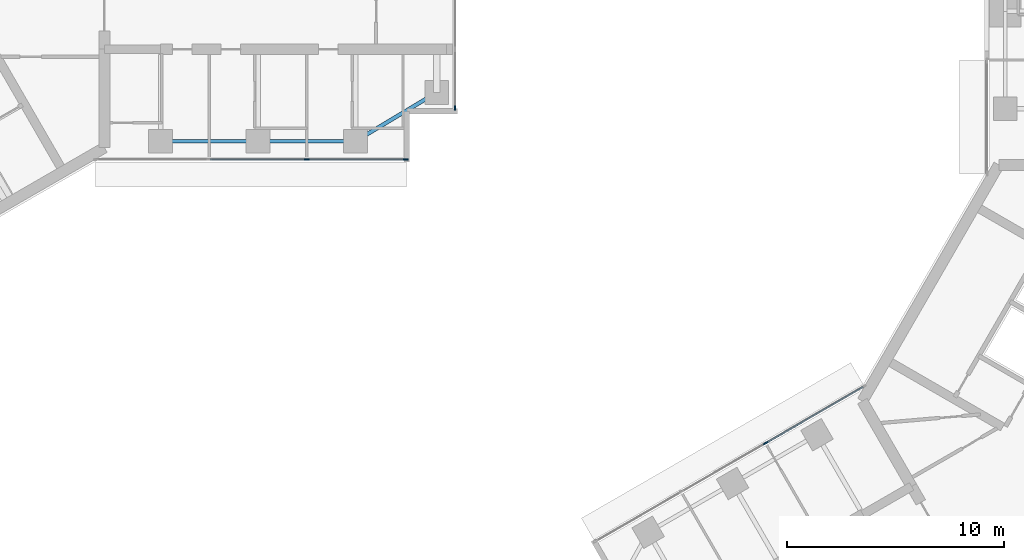
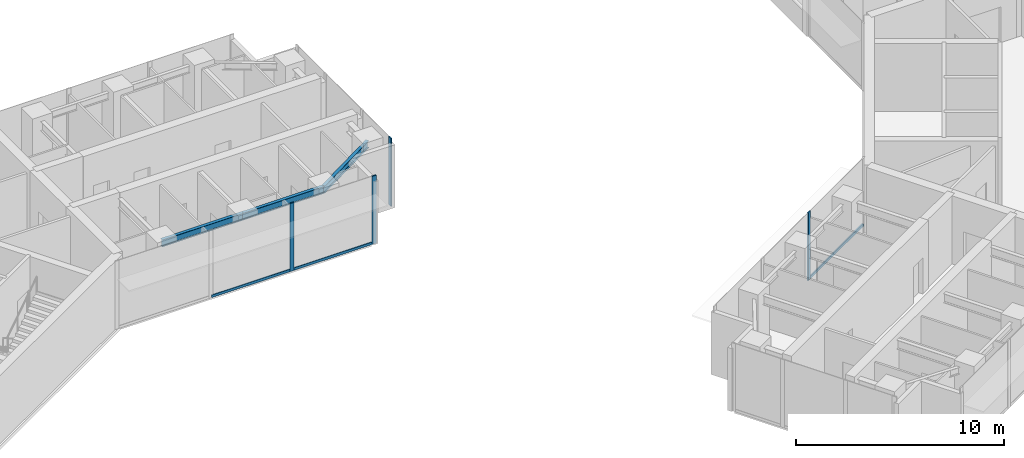
# One storey, part 4 of 17: 7 members, 3 beams, 3 elements without a shape of their own.
"""IFC4 building model written with IfcOpenShell, lengths in metres."""

from ifc_helpers import new_model, si_unit, direction, frame, origin, origin_2d, place, context, subcontext, project, spatial, rectangle, i_section, extrude, material, material_profile, profile_set, type_object, element, aggregate, save


model = new_model("IFC4")

# Units and contexts
model_context = context("Model", 3, precision=1e-05, world=origin(), true_north=direction((0.0, 1.0)))
body_context = subcontext(model_context, "Body", "Model", "MODEL_VIEW")
ifc_project = project(units=[si_unit("LENGTHUNIT", "METRE"), si_unit("AREAUNIT", "SQUARE_METRE"), si_unit("VOLUMEUNIT", "CUBIC_METRE"), si_unit("PLANEANGLEUNIT", "RADIAN"), si_unit("MASSUNIT", "GRAM", prefix="KILO")], contexts=[model_context])

# Site, building, storey
site_placement = place(None, origin())
site = spatial("IfcSite", under=ifc_project, at=site_placement, CompositionType="ELEMENT")
building_placement = place(site_placement, origin())
building = spatial("IfcBuilding", under=site, at=building_placement, Name="Upepo Twin Towers", CompositionType="ELEMENT")
storey_placement = place(building_placement, frame((0.0, 0.0, 234.5)))
storey = spatial("IfcBuildingStorey", under=building, at=storey_placement, Name="L57", CompositionType="ELEMENT", Elevation=234.5)

# Beams
ifc_material_1 = material(Name="Steel S355", Category="steel")
ifc_material_profile_1 = material_profile(ifc_material_1, i_section(OverallWidth=0.177978515625, OverallDepth=0.406494140625, WebThickness=0.0078125, FlangeThickness=0.0126953125, FilletRadius=0.01025390625, at=origin_2d()), Name="UB 406x178x60")
ifc_profile_set_1 = profile_set([ifc_material_profile_1], Name="Steel S355")
beam_type = type_object("IfcBeamType", Name="Beam UB 406x178x60", PredefinedType="BEAM", material=ifc_profile_set_1)
for number, where, z_axis, x_axis, name in (
    (1, (13.5, -6.0, 3.496826171875), (1.0, 0.0, 0.0), (0.0, 1.0, 0.0), "T1 edge beam AR 13.5-18.0"),
    (2, (18.0, -6.0, 3.496826171875), (1.0, 0.0, 0.0), (0.0, 1.0, 0.0), "T1 edge beam AR 18.0-22.5"),
):
    element("IfcBeam", number, at=place(storey_placement, frame(where, z_axis=z_axis, x_axis=x_axis)), inside=storey, type_object=beam_type, Name=name, PredefinedType="BEAM", context=body_context, shape_type="SweptSolid", body=[
        extrude(i_section(OverallWidth=0.177978515625, OverallDepth=0.406494140625, WebThickness=0.0078125, FlangeThickness=0.0126953125, FilletRadius=0.01025390625, at=origin_2d()), origin(), (0.0, 0.0, 1.0), 4.5),
    ])
beam_placement = place(storey_placement, frame((22.5, -6.0, 3.496826171875), z_axis=(0.857492925713, 0.514495755428, 0.0), x_axis=(-0.514495755428, 0.857492925713, 0.0)))
element("IfcBeam", 3, at=beam_placement, inside=storey, type_object=beam_type, Name="T1 nose edge beam AR", PredefinedType="BEAM", context=body_context, shape_type="SweptSolid", body=[
    extrude(i_section(OverallWidth=0.177978515625, OverallDepth=0.406494140625, WebThickness=0.0078125, FlangeThickness=0.0126953125, FilletRadius=0.01025390625, at=origin_2d()), origin(), (0.0, 0.0, 1.0), 4.373291015625),
])

# Curtain wall, members
ifc_material_2 = material(Name="Aluminium and fritted glass", Category="aluminium")
curtain_wall_type = type_object("IfcCurtainWallType", Name="Tower curtain wall TW3, fritted glass", PredefinedType="NOTDEFINED", material=ifc_material_2)
curtain_wall_1_placement = place(storey_placement, origin())
curtain_wall_1 = element("IfcCurtainWall", 4, at=curtain_wall_1_placement, inside=storey, type_object=curtain_wall_type, Name="T1 L57 wing A flank R curtain wall", PredefinedType="NOTDEFINED")
ifc_material_3 = material(Name="Aluminium mullion", Category="aluminium")
ifc_material_profile_2 = material_profile(ifc_material_3, rectangle(XDim=0.06494140625, YDim=0.22509765625, at=origin_2d()), Name="MULLION 65x225")
ifc_profile_set_2 = profile_set([ifc_material_profile_2], Name="Aluminium mullion")
member_type_1 = type_object("IfcMemberType", Name="Mullion 65x225 TW3", PredefinedType="MULLION", material=ifc_profile_set_2)
member_1_placement = place(storey_placement, frame((24.8173828125, -6.85009765625, 0.0), z_axis=(0.0, 0.0, 1.0), x_axis=(0.0, -1.0, 0.0)))
member_1 = element("IfcMember", 5, at=member_1_placement, type_object=member_type_1, Name="T1 L57 wing A flank R curtain wall mullion 1", PredefinedType="MULLION", context=body_context, shape_type="SweptSolid", body=[
    extrude(rectangle(XDim=0.06494140625, YDim=0.22509765625, at=origin_2d()), origin(), (0.0, 0.0, 1.0), 4.0),
])
member_2_placement = place(storey_placement, frame((20.25, -6.85009765625, 0.0), z_axis=(0.0, 0.0, 1.0), x_axis=(0.0, -1.0, 0.0)))
member_2 = element("IfcMember", 6, at=member_2_placement, type_object=member_type_1, Name="T1 L57 wing A flank R curtain wall mullion 2", PredefinedType="MULLION", context=body_context, shape_type="SweptSolid", body=[
    extrude(rectangle(XDim=0.06494140625, YDim=0.22509765625, at=origin_2d()), origin(), (0.0, 0.0, 1.0), 4.0),
])

# Curtain wall, member
curtain_wall_2_placement = place(storey_placement, origin())
curtain_wall_2 = element("IfcCurtainWall", 7, at=curtain_wall_2_placement, inside=storey, type_object=curtain_wall_type, Name="T1 L57 wing A nose curtain wall", PredefinedType="NOTDEFINED")
member_3_placement = place(storey_placement, frame((27.10009765625, -4.467529296875, 0.0), z_axis=(0.0, 0.0, 1.0), x_axis=(-1.0, 0.0, 0.0)))
member_3 = element("IfcMember", 8, at=member_3_placement, type_object=member_type_1, Name="T1 L57 wing A nose curtain wall mullion 1", PredefinedType="MULLION", context=body_context, shape_type="SweptSolid", body=[
    extrude(rectangle(XDim=0.06494140625, YDim=0.22509765625, at=origin_2d()), origin(), (0.0, 0.0, 1.0), 4.0),
])
aggregate(curtain_wall_2, [member_3])

curtain_wall_3_placement = place(storey_placement, origin())
curtain_wall_3 = element("IfcCurtainWall", 9, at=curtain_wall_3_placement, inside=storey, type_object=curtain_wall_type, Name="T2 L57 wing B flank R curtain wall", PredefinedType="NOTDEFINED")
member_4_placement = place(storey_placement, frame((41.43505859375, -19.942626953125, 0.0), z_axis=(0.0, 0.0, 1.0), x_axis=(-0.500000026527, 0.866025388469, 0.0)))
member_4 = element("IfcMember", 10, at=member_4_placement, type_object=member_type_1, Name="T2 L57 wing B flank R curtain wall mullion 3", PredefinedType="MULLION", context=body_context, shape_type="SweptSolid", body=[
    extrude(rectangle(XDim=0.06494140625, YDim=0.22509765625, at=origin_2d()), origin(), (0.0, 0.0, 1.0), 4.0),
])

# Member
ifc_material_4 = material(Name="Aluminium transom", Category="aluminium")
ifc_material_profile_3 = material_profile(ifc_material_4, rectangle(XDim=0.06494140625, YDim=0.14990234375, at=origin_2d()), Name="TRANSOM 65x150")
ifc_profile_set_3 = profile_set([ifc_material_profile_3], Name="Aluminium transom")
member_type_2 = type_object("IfcMemberType", Name="Transom 65x150 TW3", PredefinedType="USERDEFINED", material=ifc_profile_set_3)
member_5_placement = place(storey_placement, frame((24.784912109375, -6.85009765625, 0.074951171875), z_axis=(-1.0, 0.0, 0.0), x_axis=(0.0, -1.0, 0.0)))
member_5 = element("IfcMember", 11, at=member_5_placement, type_object=member_type_2, Name="T1 L57 wing A flank R curtain wall transom 1", ObjectType="TRANSOM", PredefinedType="USERDEFINED", context=body_context, shape_type="SweptSolid", body=[
    extrude(rectangle(XDim=0.06494140625, YDim=0.14990234375, at=origin_2d()), origin(), (0.0, 0.0, 1.0), 4.50244140625),
])

member_6_placement = place(storey_placement, frame((20.217529296875, -6.85009765625, 0.074951171875), z_axis=(-1.0, 0.0, 0.0), x_axis=(0.0, -1.0, 0.0)))
member_6 = element("IfcMember", 12, at=member_6_placement, type_object=member_type_2, Name="T1 L57 wing A flank R curtain wall transom 2", ObjectType="TRANSOM", PredefinedType="USERDEFINED", context=body_context, shape_type="SweptSolid", body=[
    extrude(rectangle(XDim=0.06494140625, YDim=0.14990234375, at=origin_2d()), origin(), (0.0, 0.0, 1.0), 4.43505859375),
])

aggregate(curtain_wall_1, [member_1, member_2, member_5, member_6])

member_7_placement = place(storey_placement, frame((41.463134765625, -19.926513671875, 0.074951171875), z_axis=(0.86602108507, 0.500007480159, 0.0), x_axis=(-0.500007480159, 0.86602108507, 0.0)))
member_7 = element("IfcMember", 13, at=member_7_placement, type_object=member_type_2, Name="T2 L57 wing B flank R curtain wall transom 3", ObjectType="TRANSOM", PredefinedType="USERDEFINED", context=body_context, shape_type="SweptSolid", body=[
    extrude(rectangle(XDim=0.06494140625, YDim=0.14990234375, at=origin_2d()), origin(), (0.0, 0.0, 1.0), 5.16552734375),
])

aggregate(curtain_wall_3, [member_4, member_7])

save(model, "model.ifc")
